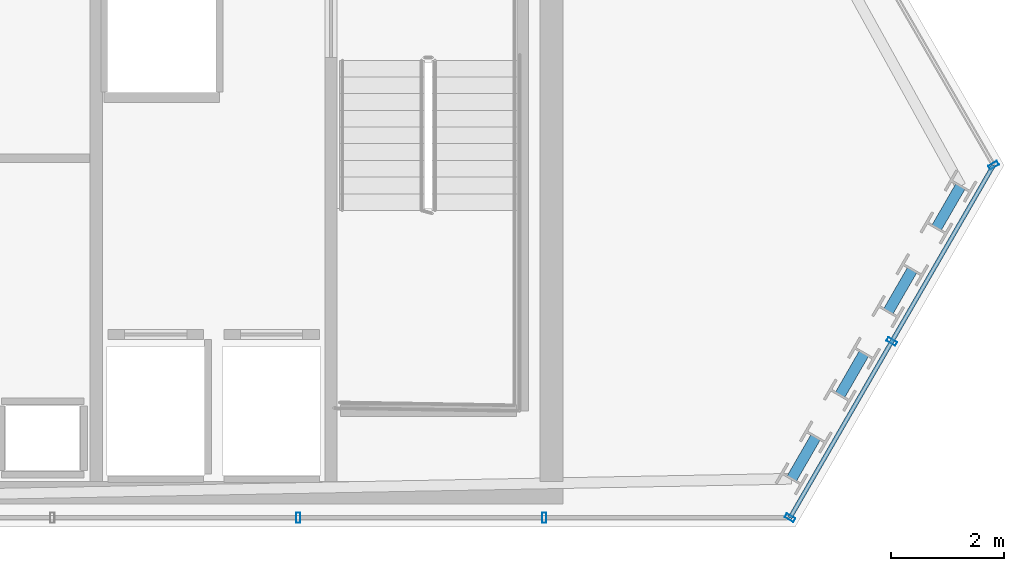
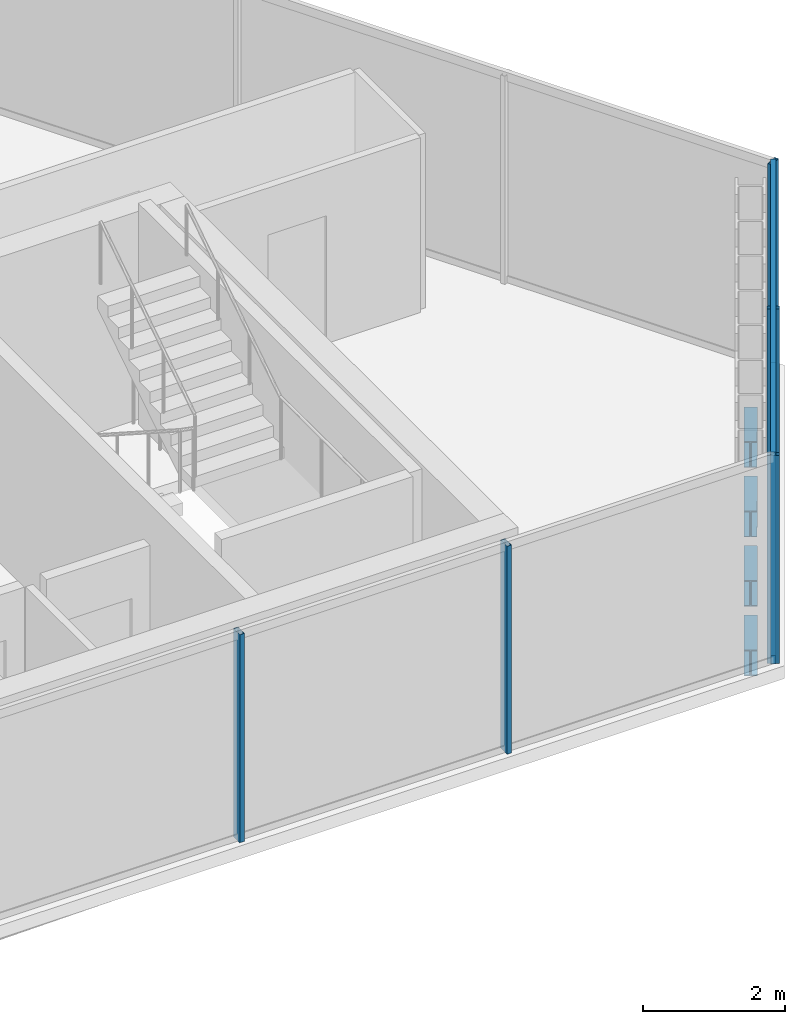
# One storey, part 14 of 29: 7 members, 4 beams, 3 elements without a shape of their own.
"""IFC4 building model written with IfcOpenShell, lengths in metres."""

from ifc_helpers import new_model, si_unit, direction, frame, origin, origin_2d, place, context, subcontext, project, spatial, hollow_rectangle, i_section, extrude, material, layer, layer_set, material_profile, profile_set, type_object, element, aggregate, save


model = new_model("IFC4")

# Units and contexts
model_context = context("Model", 3, precision=1e-05, world=origin(), true_north=direction((0.0, 1.0)))
body_context = subcontext(model_context, "Body", "Model", "MODEL_VIEW")
ifc_project = project(units=[si_unit("LENGTHUNIT", "METRE"), si_unit("AREAUNIT", "SQUARE_METRE"), si_unit("VOLUMEUNIT", "CUBIC_METRE"), si_unit("PLANEANGLEUNIT", "RADIAN"), si_unit("MASSUNIT", "GRAM", prefix="KILO")], contexts=[model_context])

# Site, building, storey
site_placement = place(None, origin())
site = spatial("IfcSite", under=ifc_project, at=site_placement, CompositionType="ELEMENT")
building_placement = place(site_placement, origin())
building = spatial("IfcBuilding", under=site, at=building_placement, Name="Ndaravel Arena Tower", CompositionType="ELEMENT")
storey_placement = place(building_placement, frame((0.0, 0.0, 233.199951171875)))
storey = spatial("IfcBuildingStorey", under=building, at=storey_placement, Name="L56", CompositionType="ELEMENT", Elevation=233.199951171875)

# Beams
ifc_material_1 = material(Name="Steel S355", Category="steel")
ifc_material_profile_1 = material_profile(ifc_material_1, i_section(OverallWidth=0.18994140625, OverallDepth=0.449951171875, WebThickness=0.009521484375, FlangeThickness=0.0146484375, FilletRadius=0.02099609375, at=origin_2d()), Name="IPE 450")
ifc_profile_set_1 = profile_set([ifc_material_profile_1], Name="Steel S355")
beam_type = type_object("IfcBeamType", Name="BM-SPAN-IPE450", PredefinedType="SPANDREL", material=ifc_profile_set_1)
beam_placement = place(storey_placement, frame((61.597412109375, 5.849609375, -0.445068359375), z_axis=(0.500044178772, 0.865999895656, 0.0), x_axis=(-0.865999895656, 0.500044178772, 0.0)))
element("IfcBeam", 1, at=beam_placement, inside=storey, type_object=beam_type, Name="L56 Perimeter Spandrel Beam SP-02", PredefinedType="SPANDREL", context=body_context, shape_type="SweptSolid", body=[
    extrude(i_section(OverallWidth=0.18994140625, OverallDepth=0.449951171875, WebThickness=0.009521484375, FlangeThickness=0.0146484375, FilletRadius=0.02099609375, at=origin_2d()), origin(), (0.0, 0.0, 1.0), 0.85400390625),
])
for number, where, z_axis, x_axis, name in (
    (2, (62.451171875, 7.328369140625, -0.445068359375), (0.499829718243, 0.866123693684, 0.0), (-0.866123693684, 0.499829718243, 0.0), "L56 Perimeter Spandrel Beam SP-04"),
    (3, (63.3046875, 8.80712890625, -0.445068359375), (0.5001680112, 0.86592838074, 0.0), (-0.86592838074, 0.5001680112, 0.0), "L56 Perimeter Spandrel Beam SP-06"),
    (4, (64.158447265625, 10.285888671875, -0.445068359375), (0.5001680112, 0.86592838074, 0.0), (-0.86592838074, 0.5001680112, 0.0), "L56 Perimeter Spandrel Beam SP-08"),
):
    element("IfcBeam", number, at=place(storey_placement, frame(where, z_axis=z_axis, x_axis=x_axis)), inside=storey, type_object=beam_type, Name=name, PredefinedType="SPANDREL", context=body_context, shape_type="SweptSolid", body=[
        extrude(i_section(OverallWidth=0.18994140625, OverallDepth=0.449951171875, WebThickness=0.009521484375, FlangeThickness=0.0146484375, FilletRadius=0.02099609375, at=origin_2d()), origin(), (0.0, 0.0, 1.0), 0.853759765625),
    ])

# Curtain wall, members
ifc_material_2 = material(Name="Aluminium", Category="aluminium")
ifc_layer_1 = layer(ifc_material_2, 0.179931640625)
ifc_layer_set_1 = layer_set([ifc_layer_1], Name="Aluminium")
curtain_wall_type_1 = type_object("IfcCurtainWallType", Name="CW-SYS-03", PredefinedType="NOTDEFINED", material=ifc_layer_set_1)
curtain_wall_1_placement = place(storey_placement, origin())
curtain_wall_1 = element("IfcCurtainWall", 5, at=curtain_wall_1_placement, inside=storey, type_object=curtain_wall_type_1, Name="L56 Faceted Crystal Curtain Wall CW-L56-E01", PredefinedType="NOTDEFINED")
ifc_material_3 = material(Name="Aluminium", Category="aluminium")
ifc_material_profile_2 = material_profile(ifc_material_3, hollow_rectangle(XDim=0.074951171875, YDim=0.179931640625, WallThickness=0.00390625, at=origin_2d()), Name="CW MULLION 75x180x4")
ifc_profile_set_2 = profile_set([ifc_material_profile_2], Name="Aluminium")
member_type_1 = type_object("IfcMemberType", Name="MEM-CW-MUL180", PredefinedType="MULLION", material=ifc_profile_set_2)
member_1_placement = place(storey_placement, frame((52.87158203125, 5.159912109375, 0.0), z_axis=(0.0, 0.0, 1.0), x_axis=(1.0, 0.0, 0.0)))
member_1 = element("IfcMember", 6, at=member_1_placement, type_object=member_type_1, Name="CW-L56-E01 Mullion 07", PredefinedType="MULLION", context=body_context, shape_type="SweptSolid", body=[
    extrude(hollow_rectangle(XDim=0.074951171875, YDim=0.179931640625, WallThickness=0.00390625, at=origin_2d()), origin(), (0.0, 0.0, 1.0), 3.580078125),
])
member_2_placement = place(storey_placement, frame((57.22021484375, 5.159912109375, 0.0), z_axis=(0.0, 0.0, 1.0), x_axis=(1.0, 0.0, 0.0)))
member_2 = element("IfcMember", 7, at=member_2_placement, type_object=member_type_1, Name="CW-L56-E01 Mullion 08", PredefinedType="MULLION", context=body_context, shape_type="SweptSolid", body=[
    extrude(hollow_rectangle(XDim=0.074951171875, YDim=0.179931640625, WallThickness=0.00390625, at=origin_2d()), origin(), (0.0, 0.0, 1.0), 3.580078125),
])
aggregate(curtain_wall_1, [member_1, member_2])

ifc_material_4 = material(Name="Aluminium", Category="aluminium")
ifc_layer_2 = layer(ifc_material_4, 0.179931640625)
ifc_layer_set_2 = layer_set([ifc_layer_2], Name="Aluminium")
curtain_wall_type_2 = type_object("IfcCurtainWallType", Name="CW-SYS-01", PredefinedType="NOTDEFINED", material=ifc_layer_set_2)
curtain_wall_2_placement = place(storey_placement, origin())
curtain_wall_2 = element("IfcCurtainWall", 8, at=curtain_wall_2_placement, inside=storey, type_object=curtain_wall_type_2, Name="L56 Faceted Crystal Curtain Wall CW-L56-E02", PredefinedType="NOTDEFINED")
member_3_placement = place(storey_placement, frame((61.568603515625, 5.159912109375, 0.0), z_axis=(0.0, 0.0, 1.0), x_axis=(0.499984884929, 0.866034130299, 0.0)))
member_3 = element("IfcMember", 9, at=member_3_placement, type_object=member_type_1, Name="CW-L56-E02 Mullion 00", PredefinedType="MULLION", context=body_context, shape_type="SweptSolid", body=[
    extrude(hollow_rectangle(XDim=0.074951171875, YDim=0.179931640625, WallThickness=0.00390625, at=origin_2d()), origin(), (0.0, 0.0, 1.0), 3.580078125),
])
member_4_placement = place(storey_placement, frame((63.368408203125, 8.27734375, 0.0), z_axis=(0.0, 0.0, 1.0), x_axis=(0.499984884929, 0.866034130299, 0.0)))
member_4 = element("IfcMember", 10, at=member_4_placement, type_object=member_type_1, Name="CW-L56-E02 Mullion 01", PredefinedType="MULLION", context=body_context, shape_type="SweptSolid", body=[
    extrude(hollow_rectangle(XDim=0.074951171875, YDim=0.179931640625, WallThickness=0.00390625, at=origin_2d()), origin(), (0.0, 0.0, 1.0), 3.580078125),
])

# Curtain wall, member
curtain_wall_3_placement = place(storey_placement, origin())
curtain_wall_3 = element("IfcCurtainWall", 11, at=curtain_wall_3_placement, inside=storey, type_object=curtain_wall_type_1, Name="L56 Faceted Crystal Curtain Wall CW-L56-E03", PredefinedType="NOTDEFINED")
member_5_placement = place(storey_placement, frame((65.168212890625, 11.39501953125, 0.0), z_axis=(0.0, 0.0, 1.0), x_axis=(-0.5, 0.866025403784, 0.0)))
member_5 = element("IfcMember", 12, at=member_5_placement, type_object=member_type_1, Name="CW-L56-E03 Mullion 00", PredefinedType="MULLION", context=body_context, shape_type="SweptSolid", body=[
    extrude(hollow_rectangle(XDim=0.074951171875, YDim=0.179931640625, WallThickness=0.00390625, at=origin_2d()), origin(), (0.0, 0.0, 1.0), 3.580078125),
])
aggregate(curtain_wall_3, [member_5])

# Member
ifc_material_5 = material(Name="Aluminium", Category="aluminium")
ifc_material_profile_3 = material_profile(ifc_material_5, hollow_rectangle(XDim=0.074951171875, YDim=0.14990234375, WallThickness=0.00390625, at=origin_2d()), Name="CW TRANSOM 75x150x4")
ifc_profile_set_3 = profile_set([ifc_material_profile_3], Name="Aluminium")
member_type_2 = type_object("IfcMemberType", Name="MEM-CW-TRN150", PredefinedType="USERDEFINED", material=ifc_profile_set_3)
member_6_placement = place(storey_placement, frame((61.568603515625, 5.159912109375, 0.0400390625), z_axis=(0.499975876118, 0.866039331266, 0.0), x_axis=(-0.866039331266, 0.499975876118, 0.0)))
member_6 = element("IfcMember", 13, at=member_6_placement, type_object=member_type_2, Name="CW-L56-E02 Transom 01", ObjectType="TRANSOM", PredefinedType="USERDEFINED", context=body_context, shape_type="SweptSolid", body=[
    extrude(hollow_rectangle(XDim=0.074951171875, YDim=0.14990234375, WallThickness=0.00390625, at=origin_2d()), origin(), (0.0, 0.0, 1.0), 7.199462890625),
])

member_7_placement = place(storey_placement, frame((61.568603515625, 5.159912109375, 3.5400390625), z_axis=(0.499975876118, 0.866039331266, 0.0), x_axis=(-0.866039331266, 0.499975876118, 0.0)))
member_7 = element("IfcMember", 14, at=member_7_placement, type_object=member_type_2, Name="CW-L56-E02 Transom 02", ObjectType="TRANSOM", PredefinedType="USERDEFINED", context=body_context, shape_type="SweptSolid", body=[
    extrude(hollow_rectangle(XDim=0.074951171875, YDim=0.14990234375, WallThickness=0.00390625, at=origin_2d()), origin(), (0.0, 0.0, 1.0), 7.199462890625),
])

aggregate(curtain_wall_2, [member_3, member_4, member_6, member_7])

save(model, "model.ifc")
